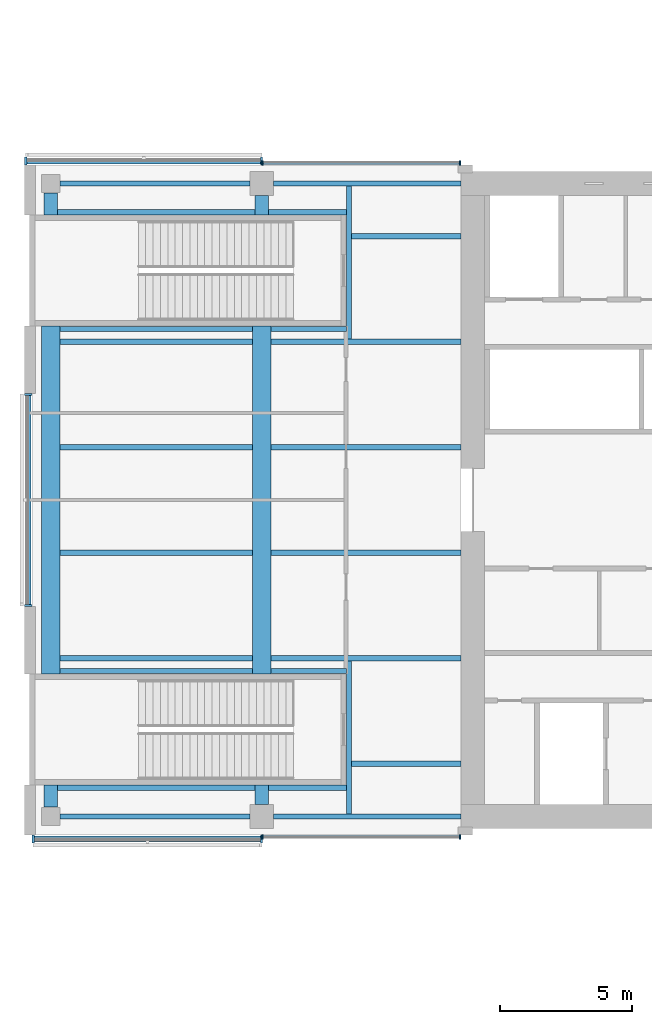
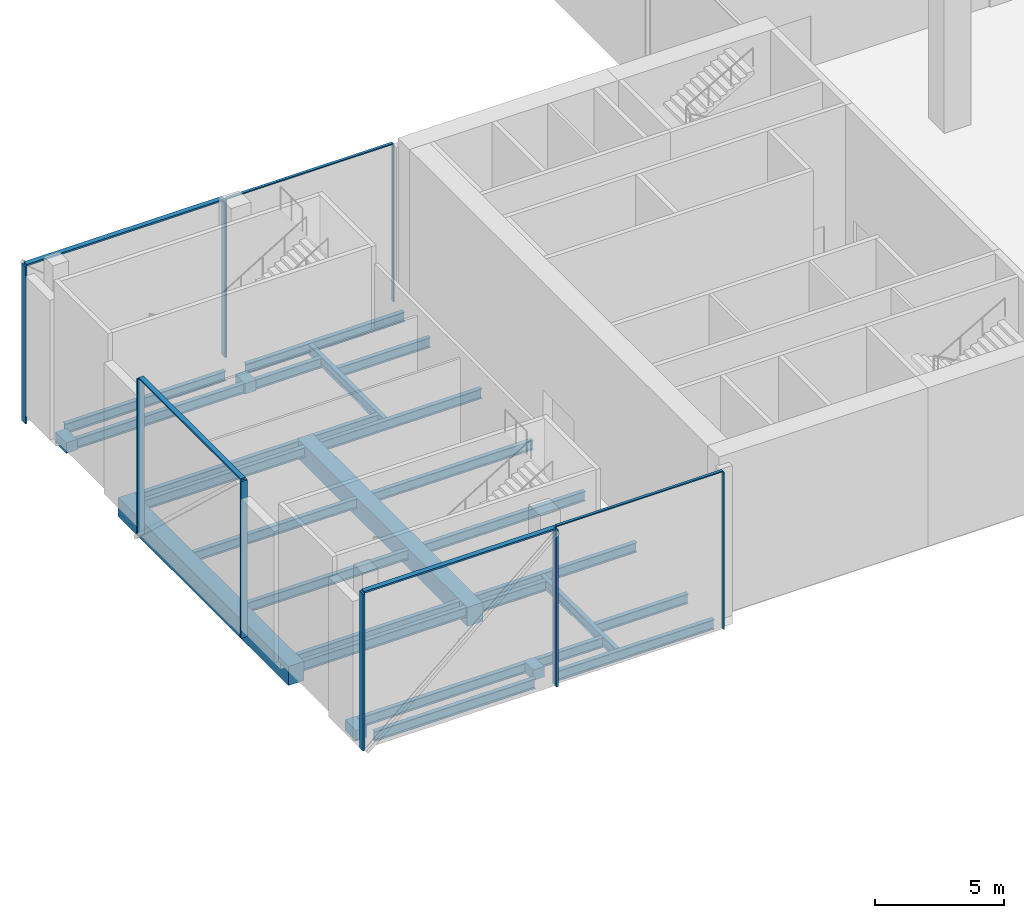
# One storey, part 4 of 25: 30 beams, 15 members, 5 elements without a shape of their own.
"""IFC4 building model written with IfcOpenShell, lengths in metres."""

from ifc_helpers import new_model, si_unit, direction, frame, origin, origin_2d, place, context, subcontext, project, spatial, rectangle, i_section, extrude, material, material_profile, profile_set, type_object, element, aggregate, save


model = new_model("IFC4")

# Units and contexts
model_context = context("Model", 3, precision=1e-05, world=origin(), true_north=direction((0.0, 1.0)))
body_context = subcontext(model_context, "Body", "Model", "MODEL_VIEW")
ifc_project = project(units=[si_unit("LENGTHUNIT", "METRE"), si_unit("AREAUNIT", "SQUARE_METRE"), si_unit("VOLUMEUNIT", "CUBIC_METRE"), si_unit("PLANEANGLEUNIT", "RADIAN"), si_unit("MASSUNIT", "GRAM", prefix="KILO")], contexts=[model_context])

# Site, building, storey
site_placement = place(None, origin())
site = spatial("IfcSite", under=ifc_project, at=site_placement, CompositionType="ELEMENT")
building_placement = place(site_placement, origin())
building = spatial("IfcBuilding", under=site, at=building_placement, Name="Crosswind Convention Tower", CompositionType="ELEMENT")
storey_placement = place(building_placement, frame((0.0, 0.0, 34.0)))
storey = spatial("IfcBuildingStorey", under=building, at=storey_placement, Name="L04", CompositionType="ELEMENT", Elevation=34.0)

# Beams
ifc_material_1 = material(Name="Steel S355", Category="steel")
ifc_material_profile_1 = material_profile(ifc_material_1, i_section(OverallWidth=0.19287109375, OverallDepth=0.467529296875, WebThickness=0.011474609375, FlangeThickness=0.01953125, FilletRadius=0.01025390625, at=origin_2d()), Name="UB 457x191x98")
ifc_profile_set_1 = profile_set([ifc_material_profile_1], Name="Steel S355")
beam_type_1 = type_object("IfcBeamType", Name="Edge beam UB 457x191x98", PredefinedType="SPANDREL", material=ifc_profile_set_1)
for number, where, z_axis, x_axis, name in (
    (1, (81.35009765625, 88.0, -0.6337890625), (1.0, 0.0, 0.0), (0.0, 1.0, 0.0), "B20 L04 edge beam 1"),
    (2, (81.35009765625, 112.0, -0.6337890625), (1.0, 0.0, 0.0), (0.0, 1.0, 0.0), "B20 L04 edge beam 2"),
):
    element("IfcBeam", number, at=place(storey_placement, frame(where, z_axis=z_axis, x_axis=x_axis)), inside=storey, type_object=beam_type_1, Name=name, PredefinedType="SPANDREL", context=body_context, shape_type="SweptSolid", body=[
        extrude(i_section(OverallWidth=0.19287109375, OverallDepth=0.467529296875, WebThickness=0.011474609375, FlangeThickness=0.01953125, FilletRadius=0.01025390625, at=origin_2d()), origin(), (0.0, 0.0, 1.0), 7.199951171875),
    ])
for number, where, z_axis, x_axis, name in (
    (3, (89.449951171875, 88.0, -0.6337890625), (1.0, 0.0, 0.0), (0.0, 1.0, 0.0), "B20 L04 edge beam 3"),
    (4, (89.449951171875, 112.0, -0.6337890625), (1.0, 0.0, 0.0), (0.0, 1.0, 0.0), "B20 L04 edge beam 4"),
):
    element("IfcBeam", number, at=place(storey_placement, frame(where, z_axis=z_axis, x_axis=x_axis)), inside=storey, type_object=beam_type_1, Name=name, PredefinedType="SPANDREL", context=body_context, shape_type="SweptSolid", body=[
        extrude(i_section(OverallWidth=0.19287109375, OverallDepth=0.467529296875, WebThickness=0.011474609375, FlangeThickness=0.01953125, FilletRadius=0.01025390625, at=origin_2d()), origin(), (0.0, 0.0, 1.0), 7.10009765625),
    ])

# Curtain wall, members
ifc_material_2 = material(Name="Aluminium unitised curtain wall", Category="aluminium")
curtain_wall_type_1 = type_object("IfcCurtainWallType", Name="CORE END SLOT WALL 160", PredefinedType="USERDEFINED", material=ifc_material_2)
curtain_wall_1_placement = place(storey_placement, origin())
curtain_wall_1 = element("IfcCurtainWall", 5, at=curtain_wall_1_placement, inside=storey, type_object=curtain_wall_type_1, Name="CW6 L04 W-N.2-1 slot", ObjectType="UNITISED", PredefinedType="USERDEFINED")
ifc_material_3 = material(Name="Aluminium mullion", Category="aluminium")
ifc_material_profile_2 = material_profile(ifc_material_3, rectangle(XDim=0.159912109375, YDim=0.050048828125, at=origin_2d()), Name="AL 160X50")
ifc_profile_set_2 = profile_set([ifc_material_profile_2], Name="Aluminium mullion")
member_type_1 = type_object("IfcMemberType", Name="MULLION 50X160", PredefinedType="MULLION", material=ifc_profile_set_2)
member_1_placement = place(storey_placement, frame((96.52490234375, 112.780029296875, -0.39990234375), z_axis=(0.0, 0.0, 1.0), x_axis=(0.0, 1.0, 0.0)))
member_1 = element("IfcMember", 6, at=member_1_placement, type_object=member_type_1, Name="CW6 mullion 1", PredefinedType="MULLION", context=body_context, shape_type="SweptSolid", body=[
    extrude(rectangle(XDim=0.159912109375, YDim=0.050048828125, at=origin_2d()), origin(), (0.0, 0.0, 1.0), 7.449951171875),
])
member_2_placement = place(storey_placement, frame((89.02490234375, 112.780029296875, -0.39990234375), z_axis=(0.0, 0.0, 1.0), x_axis=(0.0, 1.0, 0.0)))
member_2 = element("IfcMember", 7, at=member_2_placement, type_object=member_type_1, Name="CW6 mullion 2", PredefinedType="MULLION", context=body_context, shape_type="SweptSolid", body=[
    extrude(rectangle(XDim=0.159912109375, YDim=0.050048828125, at=origin_2d()), origin(), (0.0, 0.0, 1.0), 7.449951171875),
])

curtain_wall_2_placement = place(storey_placement, origin())
curtain_wall_2 = element("IfcCurtainWall", 8, at=curtain_wall_2_placement, inside=storey, type_object=curtain_wall_type_1, Name="CW6 L04 W-S.1-2 slot", ObjectType="UNITISED", PredefinedType="USERDEFINED")
member_3_placement = place(storey_placement, frame((89.02490234375, 87.219970703125, -0.39990234375), z_axis=(0.0, 0.0, 1.0), x_axis=(0.0, -1.0, 0.0)))
member_3 = element("IfcMember", 9, at=member_3_placement, type_object=member_type_1, Name="CW6 mullion 1", PredefinedType="MULLION", context=body_context, shape_type="SweptSolid", body=[
    extrude(rectangle(XDim=0.159912109375, YDim=0.050048828125, at=origin_2d()), origin(), (0.0, 0.0, 1.0), 7.449951171875),
])
member_4_placement = place(storey_placement, frame((96.52490234375, 87.219970703125, -0.39990234375), z_axis=(0.0, 0.0, 1.0), x_axis=(0.0, -1.0, 0.0)))
member_4 = element("IfcMember", 10, at=member_4_placement, type_object=member_type_1, Name="CW6 mullion 2", PredefinedType="MULLION", context=body_context, shape_type="SweptSolid", body=[
    extrude(rectangle(XDim=0.159912109375, YDim=0.050048828125, at=origin_2d()), origin(), (0.0, 0.0, 1.0), 7.449951171875),
])

curtain_wall_type_2 = type_object("IfcCurtainWallType", Name="PODIUM UNITISED WALL 300", PredefinedType="USERDEFINED", material=ifc_material_2)
curtain_wall_3_placement = place(storey_placement, origin())
curtain_wall_3 = element("IfcCurtainWall", 11, at=curtain_wall_3_placement, inside=storey, type_object=curtain_wall_type_2, Name="CW1 L04 W-N 2", ObjectType="UNITISED", PredefinedType="USERDEFINED")
ifc_material_profile_3 = material_profile(ifc_material_3, rectangle(XDim=0.300048828125, YDim=0.080078125, at=origin_2d()), Name="AL 300X80")
ifc_profile_set_3 = profile_set([ifc_material_profile_3], Name="Aluminium mullion")
member_type_2 = type_object("IfcMemberType", Name="MULLION 80X300", PredefinedType="MULLION", material=ifc_profile_set_3)
member_5_placement = place(storey_placement, frame((89.0, 112.85009765625, -0.39990234375), z_axis=(0.0, 0.0, 1.0), x_axis=(0.0, 1.0, 0.0)))
member_5 = element("IfcMember", 12, at=member_5_placement, type_object=member_type_2, Name="CW1 mullion 1", PredefinedType="MULLION", context=body_context, shape_type="SweptSolid", body=[
    extrude(rectangle(XDim=0.300048828125, YDim=0.080078125, at=origin_2d()), origin(), (0.0, 0.0, 1.0), 7.419921875),
])
member_6_placement = place(storey_placement, frame((80.054931640625, 112.85009765625, -0.39990234375), z_axis=(0.0, 0.0, 1.0), x_axis=(0.0, 1.0, 0.0)))
member_6 = element("IfcMember", 13, at=member_6_placement, type_object=member_type_2, Name="CW1 mullion 2", PredefinedType="MULLION", context=body_context, shape_type="SweptSolid", body=[
    extrude(rectangle(XDim=0.300048828125, YDim=0.080078125, at=origin_2d()), origin(), (0.0, 0.0, 1.0), 7.419921875),
])

curtain_wall_4_placement = place(storey_placement, origin())
curtain_wall_4 = element("IfcCurtainWall", 14, at=curtain_wall_4_placement, inside=storey, type_object=curtain_wall_type_2, Name="CW1 L04 W-TIP 1", ObjectType="UNITISED", PredefinedType="USERDEFINED")
member_7_placement = place(storey_placement, frame((80.14990234375, 104.0, -0.39990234375), z_axis=(0.0, 0.0, 1.0), x_axis=(-1.0, 0.0, 0.0)))
member_7 = element("IfcMember", 15, at=member_7_placement, type_object=member_type_2, Name="CW1 mullion 1", PredefinedType="MULLION", context=body_context, shape_type="SweptSolid", body=[
    extrude(rectangle(XDim=0.300048828125, YDim=0.080078125, at=origin_2d()), origin(), (0.0, 0.0, 1.0), 7.419921875),
])
member_8_placement = place(storey_placement, frame((80.14990234375, 96.0, -0.39990234375), z_axis=(0.0, 0.0, 1.0), x_axis=(-1.0, 0.0, 0.0)))
member_8 = element("IfcMember", 16, at=member_8_placement, type_object=member_type_2, Name="CW1 mullion 2", PredefinedType="MULLION", context=body_context, shape_type="SweptSolid", body=[
    extrude(rectangle(XDim=0.300048828125, YDim=0.080078125, at=origin_2d()), origin(), (0.0, 0.0, 1.0), 7.419921875),
])

curtain_wall_5_placement = place(storey_placement, origin())
curtain_wall_5 = element("IfcCurtainWall", 17, at=curtain_wall_5_placement, inside=storey, type_object=curtain_wall_type_2, Name="CW1 L04 W-S 1", ObjectType="UNITISED", PredefinedType="USERDEFINED")
member_9_placement = place(storey_placement, frame((80.340087890625, 87.14990234375, -0.39990234375), z_axis=(0.0, 0.0, 1.0), x_axis=(0.0, -1.0, 0.0)))
member_9 = element("IfcMember", 18, at=member_9_placement, type_object=member_type_2, Name="CW1 mullion 1", PredefinedType="MULLION", context=body_context, shape_type="SweptSolid", body=[
    extrude(rectangle(XDim=0.300048828125, YDim=0.080078125, at=origin_2d()), origin(), (0.0, 0.0, 1.0), 7.419921875),
])
member_10_placement = place(storey_placement, frame((89.0, 87.14990234375, -0.39990234375), z_axis=(0.0, 0.0, 1.0), x_axis=(0.0, -1.0, 0.0)))
member_10 = element("IfcMember", 19, at=member_10_placement, type_object=member_type_2, Name="CW1 mullion 2", PredefinedType="MULLION", context=body_context, shape_type="SweptSolid", body=[
    extrude(rectangle(XDim=0.300048828125, YDim=0.080078125, at=origin_2d()), origin(), (0.0, 0.0, 1.0), 7.419921875),
])

# Beams
ifc_material_4 = material(Name="Concrete C60/75", Category="concrete")
ifc_material_profile_4 = material_profile(ifc_material_4, rectangle(XDim=0.699951171875, YDim=0.89990234375, at=origin_2d()), Name="RC 700X900")
ifc_profile_set_4 = profile_set([ifc_material_profile_4], Name="Concrete C60/75")
beam_type_2 = type_object("IfcBeamType", Name="Prestressed concrete girder between stair walls RC 700X900", PredefinedType="BEAM", material=ifc_profile_set_4)
for number, where, z_axis, x_axis, name in (
    (20, (81.0, 93.39990234375, -0.85009765625), (0.0, 1.0, 0.0), (-1.0, 0.0, 0.0), "B41 L04 prestressed concrete girder between stair walls 1"),
    (21, (89.0, 93.39990234375, -0.85009765625), (0.0, 1.0, 0.0), (-1.0, 0.0, 0.0), "B41 L04 prestressed concrete girder between stair walls 2"),
):
    element("IfcBeam", number, at=place(storey_placement, frame(where, z_axis=z_axis, x_axis=x_axis)), inside=storey, type_object=beam_type_2, Name=name, PredefinedType="BEAM", context=body_context, shape_type="SweptSolid", body=[
        extrude(rectangle(XDim=0.699951171875, YDim=0.89990234375, at=origin_2d()), origin(), (0.0, 0.0, 1.0), 13.2001953125),
    ])
ifc_material_profile_5 = material_profile(ifc_material_1, i_section(OverallWidth=0.19140625, OverallDepth=0.460205078125, WebThickness=0.010009765625, FlangeThickness=0.01611328125, FilletRadius=0.01025390625, at=origin_2d()), Name="UB 457x191x82")
ifc_profile_set_5 = profile_set([ifc_material_profile_5], Name="Steel S355")
beam_type_3 = type_object("IfcBeamType", Name="Secondary beam UB 457x191x82", PredefinedType="JOIST", material=ifc_profile_set_5)
for number, where, z_axis, x_axis, name in (
    (22, (81.35009765625, 94.0, -0.630126953125), (1.0, 0.0, 0.0), (0.0, 1.0, 0.0), "B13 L04 secondary beam 1"),
    (23, (81.35009765625, 98.0, -0.630126953125), (1.0, 0.0, 0.0), (0.0, 1.0, 0.0), "B13 L04 secondary beam 2"),
    (24, (81.35009765625, 102.0, -0.630126953125), (1.0, 0.0, 0.0), (0.0, 1.0, 0.0), "B13 L04 secondary beam 3"),
    (25, (81.35009765625, 106.0, -0.630126953125), (1.0, 0.0, 0.0), (0.0, 1.0, 0.0), "B13 L04 secondary beam 4"),
):
    element("IfcBeam", number, at=place(storey_placement, frame(where, z_axis=z_axis, x_axis=x_axis)), inside=storey, type_object=beam_type_3, Name=name, PredefinedType="JOIST", context=body_context, shape_type="SweptSolid", body=[
        extrude(i_section(OverallWidth=0.19140625, OverallDepth=0.460205078125, WebThickness=0.010009765625, FlangeThickness=0.01611328125, FilletRadius=0.01025390625, at=origin_2d()), origin(), (0.0, 0.0, 1.0), 7.2998046875),
    ])
for number, where, z_axis, x_axis, name in (
    (26, (89.35009765625, 94.0, -0.630126953125), (1.0, 0.0, 0.0), (0.0, 1.0, 0.0), "B13 L04 secondary beam 5"),
    (27, (89.35009765625, 98.0, -0.630126953125), (1.0, 0.0, 0.0), (0.0, 1.0, 0.0), "B13 L04 secondary beam 6"),
    (28, (89.35009765625, 102.0, -0.630126953125), (1.0, 0.0, 0.0), (0.0, 1.0, 0.0), "B13 L04 secondary beam 7"),
    (29, (89.35009765625, 106.0, -0.630126953125), (1.0, 0.0, 0.0), (0.0, 1.0, 0.0), "B13 L04 secondary beam 8"),
):
    element("IfcBeam", number, at=place(storey_placement, frame(where, z_axis=z_axis, x_axis=x_axis)), inside=storey, type_object=beam_type_3, Name=name, PredefinedType="JOIST", context=body_context, shape_type="SweptSolid", body=[
        extrude(i_section(OverallWidth=0.19140625, OverallDepth=0.460205078125, WebThickness=0.010009765625, FlangeThickness=0.01611328125, FilletRadius=0.01025390625, at=origin_2d()), origin(), (0.0, 0.0, 1.0), 7.199951171875),
    ])
for number, where, z_axis, x_axis, name in (
    (30, (92.406005859375, 90.0, -0.630126953125), (1.0, 0.0, 0.0), (0.0, 1.0, 0.0), "B13 L04 secondary beam 9"),
    (31, (92.406005859375, 110.0, -0.630126953125), (1.0, 0.0, 0.0), (0.0, 1.0, 0.0), "B13 L04 secondary beam 10"),
):
    element("IfcBeam", number, at=place(storey_placement, frame(where, z_axis=z_axis, x_axis=x_axis)), inside=storey, type_object=beam_type_3, Name=name, PredefinedType="JOIST", context=body_context, shape_type="SweptSolid", body=[
        extrude(i_section(OverallWidth=0.19140625, OverallDepth=0.460205078125, WebThickness=0.010009765625, FlangeThickness=0.01611328125, FilletRadius=0.01025390625, at=origin_2d()), origin(), (0.0, 0.0, 1.0), 4.14404296875),
    ])
ifc_material_profile_6 = material_profile(ifc_material_4, rectangle(XDim=0.5, YDim=0.5, at=origin_2d()), Name="RC 500X500")
ifc_profile_set_6 = profile_set([ifc_material_profile_6], Name="Concrete C60/75")
beam_type_4 = type_object("IfcBeamType", Name="Slab edge tie beam RC 500X500", PredefinedType="BEAM", material=ifc_profile_set_6)
for number, where, z_axis, x_axis, name in (
    (32, (81.0, 88.35009765625, -0.64990234375), (0.0, 1.0, 0.0), (-1.0, 0.0, 0.0), "B42 L04 slab edge tie beam 1"),
    (33, (81.0, 110.800048828125, -0.64990234375), (0.0, 1.0, 0.0), (-1.0, 0.0, 0.0), "B42 L04 slab edge tie beam 2"),
):
    element("IfcBeam", number, at=place(storey_placement, frame(where, z_axis=z_axis, x_axis=x_axis)), inside=storey, type_object=beam_type_4, Name=name, PredefinedType="BEAM", context=body_context, shape_type="SweptSolid", body=[
        extrude(rectangle(XDim=0.5, YDim=0.5, at=origin_2d()), origin(), (0.0, 0.0, 1.0), 0.849853515625),
    ])
for number, where, z_axis, x_axis, name in (
    (34, (89.0, 88.449951171875, -0.64990234375), (0.0, 1.0, 0.0), (-1.0, 0.0, 0.0), "B42 L04 slab edge tie beam 3"),
    (35, (89.0, 110.800048828125, -0.64990234375), (0.0, 1.0, 0.0), (-1.0, 0.0, 0.0), "B42 L04 slab edge tie beam 4"),
):
    element("IfcBeam", number, at=place(storey_placement, frame(where, z_axis=z_axis, x_axis=x_axis)), inside=storey, type_object=beam_type_4, Name=name, PredefinedType="BEAM", context=body_context, shape_type="SweptSolid", body=[
        extrude(rectangle(XDim=0.5, YDim=0.5, at=origin_2d()), origin(), (0.0, 0.0, 1.0), 0.75),
    ])

# Member
ifc_material_5 = material(Name="Aluminium transom", Category="aluminium")
ifc_material_profile_7 = material_profile(ifc_material_5, rectangle(XDim=0.1201171875, YDim=0.050048828125, at=origin_2d()), Name="AL 120X50")
ifc_profile_set_7 = profile_set([ifc_material_profile_7], Name="Aluminium transom")
member_type_3 = type_object("IfcMemberType", Name="TRANSOM 50X120", PredefinedType="USERDEFINED", material=ifc_profile_set_7)
member_11_placement = place(storey_placement, frame((96.5, 112.780029296875, 7.074951171875), z_axis=(-1.0, 0.0, 0.0), x_axis=(0.0, -1.0, 0.0)))
member_11 = element("IfcMember", 36, at=member_11_placement, type_object=member_type_3, Name="CW6 transom", ObjectType="TRANSOM", PredefinedType="USERDEFINED", context=body_context, shape_type="SweptSolid", body=[
    extrude(rectangle(XDim=0.1201171875, YDim=0.050048828125, at=origin_2d()), origin(), (0.0, 0.0, 1.0), 7.449951171875),
])

aggregate(curtain_wall_1, [member_1, member_2, member_11])

member_12_placement = place(storey_placement, frame((89.050048828125, 87.219970703125, 7.074951171875), z_axis=(1.0, 0.0, 0.0), x_axis=(0.0, 1.0, 0.0)))
member_12 = element("IfcMember", 37, at=member_12_placement, type_object=member_type_3, Name="CW6 transom", ObjectType="TRANSOM", PredefinedType="USERDEFINED", context=body_context, shape_type="SweptSolid", body=[
    extrude(rectangle(XDim=0.1201171875, YDim=0.050048828125, at=origin_2d()), origin(), (0.0, 0.0, 1.0), 7.449951171875),
])

aggregate(curtain_wall_2, [member_3, member_4, member_12])

ifc_material_profile_8 = material_profile(ifc_material_5, rectangle(XDim=0.219970703125, YDim=0.080078125, at=origin_2d()), Name="AL 220X80")
ifc_profile_set_8 = profile_set([ifc_material_profile_8], Name="Aluminium transom")
member_type_4 = type_object("IfcMemberType", Name="TRANSOM 80X220", PredefinedType="USERDEFINED", material=ifc_profile_set_8)
member_13_placement = place(storey_placement, frame((88.9599609375, 112.85009765625, 7.06005859375), z_axis=(-1.0, 0.0, 0.0), x_axis=(0.0, -1.0, 0.0)))
member_13 = element("IfcMember", 38, at=member_13_placement, type_object=member_type_4, Name="CW1 transom", ObjectType="TRANSOM", PredefinedType="USERDEFINED", context=body_context, shape_type="SweptSolid", body=[
    extrude(rectangle(XDim=0.219970703125, YDim=0.080078125, at=origin_2d()), origin(), (0.0, 0.0, 1.0), 8.864990234375),
])

aggregate(curtain_wall_3, [member_5, member_6, member_13])

member_14_placement = place(storey_placement, frame((80.14990234375, 103.9599609375, 7.06005859375), z_axis=(0.0, -1.0, 0.0), x_axis=(1.0, 0.0, 0.0)))
member_14 = element("IfcMember", 39, at=member_14_placement, type_object=member_type_4, Name="CW1 transom", ObjectType="TRANSOM", PredefinedType="USERDEFINED", context=body_context, shape_type="SweptSolid", body=[
    extrude(rectangle(XDim=0.219970703125, YDim=0.080078125, at=origin_2d()), origin(), (0.0, 0.0, 1.0), 7.919921875),
])

aggregate(curtain_wall_4, [member_7, member_8, member_14])

member_15_placement = place(storey_placement, frame((80.3798828125, 87.14990234375, 7.06005859375), z_axis=(1.0, 0.0, 0.0), x_axis=(0.0, 1.0, 0.0)))
member_15 = element("IfcMember", 40, at=member_15_placement, type_object=member_type_4, Name="CW1 transom", ObjectType="TRANSOM", PredefinedType="USERDEFINED", context=body_context, shape_type="SweptSolid", body=[
    extrude(rectangle(XDim=0.219970703125, YDim=0.080078125, at=origin_2d()), origin(), (0.0, 0.0, 1.0), 8.580078125),
])

aggregate(curtain_wall_5, [member_9, member_10, member_15])

# Beams
ifc_material_profile_9 = material_profile(ifc_material_1, i_section(OverallWidth=0.19189453125, OverallDepth=0.463623046875, WebThickness=0.010498046875, FlangeThickness=0.017578125, FilletRadius=0.01025390625, at=origin_2d()), Name="UB 457x191x90")
ifc_profile_set_9 = profile_set([ifc_material_profile_9], Name="Steel S355")
beam_type_5 = type_object("IfcBeamType", Name="Trimmer beam UB 457x191x90", PredefinedType="BEAM", material=ifc_profile_set_9)
for number, where, z_axis, x_axis, name in (
    (41, (88.64990234375, 93.510009765625, -0.6318359375), (-1.0, 0.0, 0.0), (0.0, -1.0, 0.0), "B33 L04 trimmer beam 1"),
    (42, (88.64990234375, 106.489990234375, -0.6318359375), (-1.0, 0.0, 0.0), (0.0, -1.0, 0.0), "B33 L04 trimmer beam 2"),
):
    element("IfcBeam", number, at=place(storey_placement, frame(where, z_axis=z_axis, x_axis=x_axis)), inside=storey, type_object=beam_type_5, Name=name, PredefinedType="BEAM", context=body_context, shape_type="SweptSolid", body=[
        extrude(i_section(OverallWidth=0.19189453125, OverallDepth=0.463623046875, WebThickness=0.010498046875, FlangeThickness=0.017578125, FilletRadius=0.01025390625, at=origin_2d()), origin(), (0.0, 0.0, 1.0), 7.2998046875),
    ])
for number, where, z_axis, x_axis, name in (
    (43, (88.75, 89.090087890625, -0.6318359375), (-1.0, 0.0, 0.0), (0.0, -1.0, 0.0), "B33 L04 trimmer beam 3"),
    (44, (88.75, 110.909912109375, -0.6318359375), (-1.0, 0.0, 0.0), (0.0, -1.0, 0.0), "B33 L04 trimmer beam 4"),
):
    element("IfcBeam", number, at=place(storey_placement, frame(where, z_axis=z_axis, x_axis=x_axis)), inside=storey, type_object=beam_type_5, Name=name, PredefinedType="BEAM", context=body_context, shape_type="SweptSolid", body=[
        extrude(i_section(OverallWidth=0.19189453125, OverallDepth=0.463623046875, WebThickness=0.010498046875, FlangeThickness=0.017578125, FilletRadius=0.01025390625, at=origin_2d()), origin(), (0.0, 0.0, 1.0), 7.5),
    ])
beam_1_placement = place(storey_placement, frame((92.214111328125, 89.090087890625, -0.6318359375), z_axis=(-1.0, 0.0, 0.0), x_axis=(0.0, -1.0, 0.0)))
element("IfcBeam", 45, at=beam_1_placement, inside=storey, type_object=beam_type_5, Name="B33 L04 trimmer beam 5", PredefinedType="BEAM", context=body_context, shape_type="SweptSolid", body=[
    extrude(i_section(OverallWidth=0.19189453125, OverallDepth=0.463623046875, WebThickness=0.010498046875, FlangeThickness=0.017578125, FilletRadius=0.01025390625, at=origin_2d()), origin(), (0.0, 0.0, 1.0), 2.964111328125),
])
for number, where, z_axis, x_axis, name in (
    (46, (92.214111328125, 93.510009765625, -0.6318359375), (-1.0, 0.0, 0.0), (0.0, -1.0, 0.0), "B33 L04 trimmer beam 6"),
    (47, (92.214111328125, 106.489990234375, -0.6318359375), (-1.0, 0.0, 0.0), (0.0, -1.0, 0.0), "B33 L04 trimmer beam 7"),
):
    element("IfcBeam", number, at=place(storey_placement, frame(where, z_axis=z_axis, x_axis=x_axis)), inside=storey, type_object=beam_type_5, Name=name, PredefinedType="BEAM", context=body_context, shape_type="SweptSolid", body=[
        extrude(i_section(OverallWidth=0.19189453125, OverallDepth=0.463623046875, WebThickness=0.010498046875, FlangeThickness=0.017578125, FilletRadius=0.01025390625, at=origin_2d()), origin(), (0.0, 0.0, 1.0), 2.864013671875),
    ])
beam_2_placement = place(storey_placement, frame((92.214111328125, 110.909912109375, -0.6318359375), z_axis=(-1.0, 0.0, 0.0), x_axis=(0.0, -1.0, 0.0)))
element("IfcBeam", 48, at=beam_2_placement, inside=storey, type_object=beam_type_5, Name="B33 L04 trimmer beam 8", PredefinedType="BEAM", context=body_context, shape_type="SweptSolid", body=[
    extrude(i_section(OverallWidth=0.19189453125, OverallDepth=0.463623046875, WebThickness=0.010498046875, FlangeThickness=0.017578125, FilletRadius=0.01025390625, at=origin_2d()), origin(), (0.0, 0.0, 1.0), 2.964111328125),
])
for number, where, z_axis, x_axis, name in (
    (49, (92.31005859375, 88.096435546875, -0.6318359375), (0.0, 1.0, 0.0), (-1.0, 0.0, 0.0), "B33 L04 trimmer beam 9"),
    (50, (92.31005859375, 106.095703125, -0.6318359375), (0.0, 1.0, 0.0), (-1.0, 0.0, 0.0), "B33 L04 trimmer beam 10"),
):
    element("IfcBeam", number, at=place(storey_placement, frame(where, z_axis=z_axis, x_axis=x_axis)), inside=storey, type_object=beam_type_5, Name=name, PredefinedType="BEAM", context=body_context, shape_type="SweptSolid", body=[
        extrude(i_section(OverallWidth=0.19189453125, OverallDepth=0.463623046875, WebThickness=0.010498046875, FlangeThickness=0.017578125, FilletRadius=0.01025390625, at=origin_2d()), origin(), (0.0, 0.0, 1.0), 5.807861328125),
    ])

save(model, "model.ifc")
